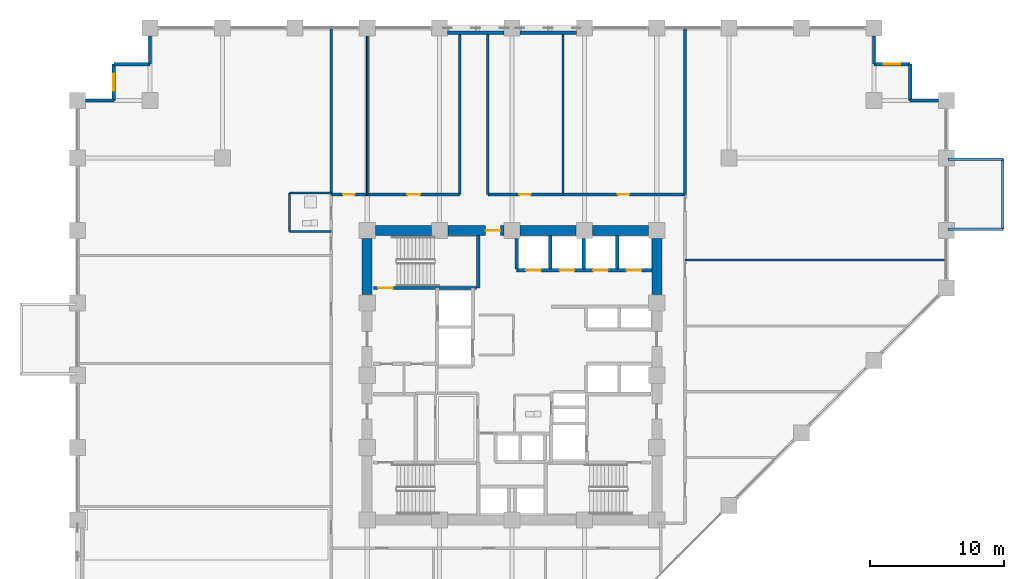
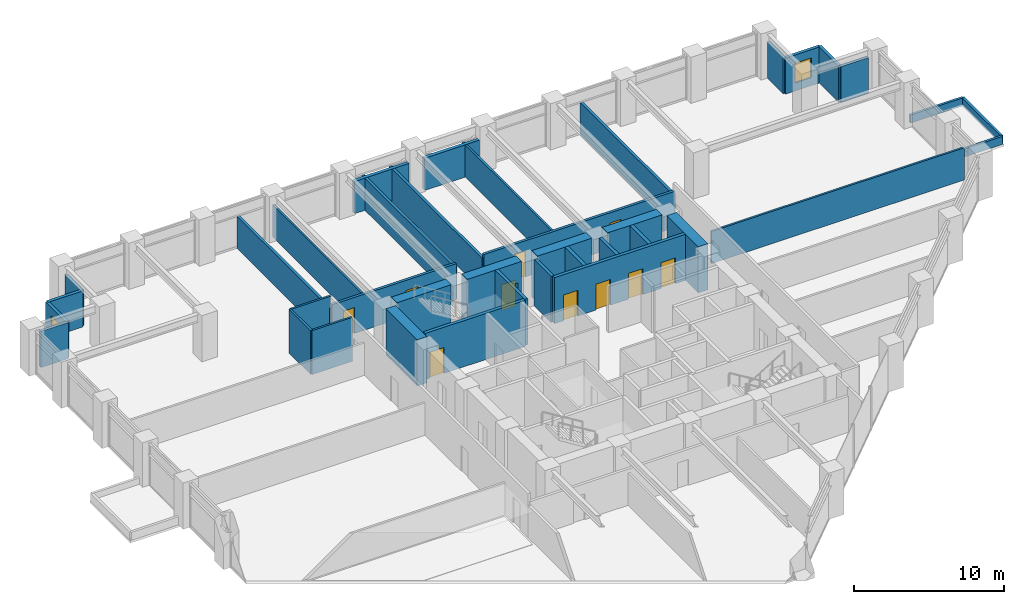
# One storey, part 22 of 26: 38 walls, 10 doors, 2 windows, 12 openings.
"""IFC4 building model written with IfcOpenShell, lengths in metres."""

from ifc_helpers import new_model, si_unit, direction, frame, frame_2d, origin, place, context, subcontext, project, spatial, rectangle, extrude, material, layer, layer_set, type_object, element, fill, save


model = new_model("IFC4")

# Units and contexts
model_context = context("Model", 3, precision=1e-05, world=origin(), true_north=direction((0.0, 1.0)))
body_context = subcontext(model_context, "Body", "Model", "MODEL_VIEW")
ifc_project = project(units=[si_unit("LENGTHUNIT", "METRE"), si_unit("AREAUNIT", "SQUARE_METRE"), si_unit("VOLUMEUNIT", "CUBIC_METRE"), si_unit("PLANEANGLEUNIT", "RADIAN"), si_unit("MASSUNIT", "GRAM", prefix="KILO")], contexts=[model_context])

# Site, building, storey
site_placement = place(None, origin())
site = spatial("IfcSite", under=ifc_project, at=site_placement, CompositionType="ELEMENT")
building_placement = place(site_placement, origin())
building = spatial("IfcBuilding", under=site, at=building_placement, Name="Surkhivell Harbour Commons", CompositionType="ELEMENT")
storey_placement = place(building_placement, frame((0.0, 0.0, 71.25)))
storey = spatial("IfcBuildingStorey", under=building, at=storey_placement, Name="L18", CompositionType="ELEMENT", Elevation=71.25)

# Wall
ifc_material_1 = material(Name="Concrete C60/75", Category="concrete")
ifc_layer_1 = layer(ifc_material_1, 0.75)
ifc_layer_set_1 = layer_set([ifc_layer_1], Name="Concrete C60/75")
wall_type_1 = type_object("IfcWallType", Name="WAL-CORE-750", PredefinedType="SHEAR", material=ifc_layer_set_1)
wall_1_placement = place(storey_placement, frame((-10.18994140625, 10.800048828125, 0.0), z_axis=(0.0, 0.0, 1.0), x_axis=(1.0, 0.0, 0.0)))
element("IfcWall", 1, at=wall_1_placement, inside=storey, type_object=wall_type_1, Name="L18 Core Shear Wall North 1", PredefinedType="SHEAR", context=body_context, shape_type="SweptSolid", body=[
    extrude(rectangle(XDim=4.179931640625, YDim=0.75, at=frame_2d((2.08984375, 0.0))), origin(), (0.0, 0.0, 1.0), 3.75),
])

# Wall, opening, door
wall_2_placement = place(storey_placement, frame((-4.7900390625, 10.800048828125, 0.0), z_axis=(0.0, 0.0, 1.0), x_axis=(1.0, 0.0, 0.0)))
wall_2 = element("IfcWall", 2, at=wall_2_placement, inside=storey, type_object=wall_type_1, Name="L18 Core Shear Wall North 2", PredefinedType="SHEAR", context=body_context, shape_type="SweptSolid", body=[
    extrude(rectangle(XDim=4.179931640625, YDim=0.75, at=frame_2d((2.08984375, 0.0))), origin(), (0.0, 0.0, 1.0), 3.75),
])
opening_1_placement = place(wall_2_placement, frame((2.830078125, 0.0, 0.0)))
opening_1 = element("IfcOpeningElement", 3, at=opening_1_placement, cuts=wall_2, Name="Opening ID-2", PredefinedType="OPENING", context=body_context, shape_type="SweptSolid", body=[
    extrude(rectangle(XDim=1.10009765625, YDim=2.10009765625, at=frame_2d((0.550048828125, 1.050048828125))), frame((0.0, 0.385009765625, 0.0), z_axis=(0.0, -1.0, 0.0), x_axis=(1.0, 0.0, 0.0)), (0.0, 0.0, 1.0), 0.77001953125),
])
ifc_material_2 = material(Name="Hardwood-veneered fire-rated door leaf", Category="wood")
door_type_1 = type_object("IfcDoorType", Name="DOR-FD60-1100", OperationType="NOTDEFINED", PredefinedType="DOOR", material=ifc_material_2)
door_1_placement = place(opening_1_placement, origin())
door_1 = element("IfcDoor", 4, at=door_1_placement, inside=storey, type_object=door_type_1, Name="L18 Central Core Lift Hall North Corridor Door", OperationType="SINGLE_SWING_LEFT", OverallHeight=2.10009765625, OverallWidth=1.10009765625, PredefinedType="DOOR", context=body_context, shape_type="SweptSolid", body=[
    extrude(rectangle(XDim=1.10009765625, YDim=2.10009765625, at=frame_2d((0.550048828125, 1.050048828125))), frame((0.0, 0.02490234375, 0.0), z_axis=(0.0, -1.0, 0.0), x_axis=(1.0, 0.0, 0.0)), (0.0, 0.0, 1.0), 0.050048828125),
])
fill(opening_1, door_1)

# Walls
for number, where, z_axis, x_axis, name in (
    (5, (0.610107421875, 10.800048828125, 0.0), (0.0, 0.0, 1.0), (1.0, 0.0, 0.0), "L18 Core Shear Wall North 3"),
    (6, (6.010009765625, 10.800048828125, 0.0), (0.0, 0.0, 1.0), (1.0, 0.0, 0.0), "L18 Core Shear Wall North 4"),
    (7, (-10.800048828125, 6.010009765625, 0.0), (0.0, 0.0, 1.0), (0.0, 1.0, 0.0), "L18 Core Shear Wall West 4"),
    (8, (10.800048828125, 6.010009765625, 0.0), (0.0, 0.0, 1.0), (0.0, 1.0, 0.0), "L18 Core Shear Wall East 4"),
):
    element("IfcWall", number, at=place(storey_placement, frame(where, z_axis=z_axis, x_axis=x_axis)), inside=storey, type_object=wall_type_1, Name=name, PredefinedType="SHEAR", context=body_context, shape_type="SweptSolid", body=[
        extrude(rectangle(XDim=4.179931640625, YDim=0.75, at=frame_2d((2.08984375, 0.0))), origin(), (0.0, 0.0, 1.0), 3.75),
    ])
ifc_material_3 = material(Name="Pale-metal insulated precast concrete C45/55", Category="concrete")
ifc_layer_2 = layer(ifc_material_3, 0.260009765625)
ifc_layer_set_2 = layer_set([ifc_layer_2], Name="Pale-metal insulated precast concrete C45/55")
wall_type_2 = type_object("IfcWallType", Name="WAL-EXT-MTL260", PredefinedType="STANDARD", material=ifc_layer_set_2)
for number, where, z_axis, x_axis, name in (
    (9, (-0.597900390625, 25.5400390625, 0.0), (0.0, 0.0, 1.0), (-1.0, 0.0, 0.0), "L18 Braced-Bay Insulated Spandrel Backing N"),
    (10, (4.802001953125, 25.5400390625, 0.0), (0.0, 0.0, 1.0), (-1.0, 0.0, 0.0), "L18 Braced-Bay Insulated Spandrel Backing N2"),
):
    element("IfcWall", number, at=place(storey_placement, frame(where, z_axis=z_axis, x_axis=x_axis)), inside=storey, type_object=wall_type_2, Name=name, PredefinedType="STANDARD", context=body_context, shape_type="SweptSolid", body=[
        extrude(rectangle(XDim=4.2041015625, YDim=0.260009765625, at=frame_2d((2.10205078125, 0.0))), origin(), (0.0, 0.0, 1.0), 2.623046875),
    ])
ifc_material_4 = material(Name="Bronze-ochre cassette precast concrete C45/55", Category="concrete")
ifc_layer_3 = layer(ifc_material_4, 0.239990234375)
ifc_layer_set_3 = layer_set([ifc_layer_3], Name="Bronze-ochre cassette precast concrete C45/55")
wall_type_3 = type_object("IfcWallType", Name="WAL-EXT-OCH240", PredefinedType="STANDARD", material=ifc_layer_set_3)
wall_3_placement = place(storey_placement, frame((31.802001953125, 20.5, 0.0), z_axis=(0.0, 0.0, 1.0), x_axis=(-1.0, 0.0, 0.0)))
element("IfcWall", 11, at=wall_3_placement, inside=storey, type_object=wall_type_3, Name="L18 Serrated Corner Facade Wall 03", PredefinedType="STANDARD", context=body_context, shape_type="SweptSolid", body=[
    extrude(rectangle(XDim=2.10205078125, YDim=0.239990234375, at=frame_2d((1.051025390625, 0.0))), origin(), (0.0, 0.0, 1.0), 2.929931640625),
])
wall_4_placement = place(storey_placement, frame((29.699951171875, 20.5, 0.0), z_axis=(0.0, 0.0, 1.0), x_axis=(0.0, 1.0, 0.0)))
element("IfcWall", 12, at=wall_4_placement, inside=storey, type_object=wall_type_3, Name="L18 Serrated Corner Facade Wall 04", PredefinedType="STANDARD", context=body_context, shape_type="SweptSolid", body=[
    extrude(rectangle(XDim=2.699951171875, YDim=0.239990234375, at=frame_2d((1.35009765625, 0.0))), origin(), (0.0, 0.0, 1.0), 2.929931640625),
])

# Wall, opening, window
wall_5_placement = place(storey_placement, frame((29.699951171875, 23.199951171875, 0.0), z_axis=(0.0, 0.0, 1.0), x_axis=(-1.0, 0.0, 0.0)))
wall_5 = element("IfcWall", 13, at=wall_5_placement, inside=storey, type_object=wall_type_3, Name="L18 Serrated Corner Facade Wall 05", PredefinedType="STANDARD", context=body_context, shape_type="SweptSolid", body=[
    extrude(rectangle(XDim=2.699951171875, YDim=0.239990234375, at=frame_2d((1.35009765625, 0.0))), origin(), (0.0, 0.0, 1.0), 2.929931640625),
])
opening_2_placement = place(wall_5_placement, frame((0.72509765625, 0.0, 0.64990234375)))
opening_2 = element("IfcOpeningElement", 14, at=opening_2_placement, cuts=wall_5, Name="Opening WN-09", PredefinedType="OPENING", context=body_context, shape_type="SweptSolid", body=[
    extrude(rectangle(XDim=1.25, YDim=1.60009765625, at=frame_2d((0.625, 0.800048828125))), frame((0.0, 0.1298828125, 0.0), z_axis=(0.0, -1.0, 0.0), x_axis=(1.0, 0.0, 0.0)), (0.0, 0.0, 1.0), 0.260009765625),
])
ifc_material_5 = material(Name="Thermal-break aluminium frame and double low-E glazing", Category="aluminium")
window_type = type_object("IfcWindowType", Name="WIN-SER-1250x1600", PartitioningType="SINGLE_PANEL", PredefinedType="WINDOW", material=ifc_material_5)
window_1_placement = place(opening_2_placement, origin())
window_1 = element("IfcWindow", 15, at=window_1_placement, inside=storey, type_object=window_type, Name="L18 Serrated Alcove Window 05", OverallHeight=1.60009765625, OverallWidth=1.25, PartitioningType="SINGLE_PANEL", PredefinedType="WINDOW", context=body_context, shape_type="SweptSolid", body=[
    extrude(rectangle(XDim=1.25, YDim=1.60009765625, at=frame_2d((0.625, 0.800048828125))), frame((0.0, 0.030029296875, 0.0), z_axis=(0.0, -1.0, 0.0), x_axis=(1.0, 0.0, 0.0)), (0.0, 0.0, 1.0), 0.06005859375),
])
fill(opening_2, window_1)

# Walls
for number, where, z_axis, x_axis, name in (
    (16, (27.0, 23.199951171875, 0.0), (0.0, 0.0, 1.0), (0.0, 1.0, 0.0), "L18 Serrated Corner Facade Wall 06"),
    (17, (-27.0, 25.302001953125, 0.0), (0.0, 0.0, 1.0), (0.0, -1.0, 0.0), "L18 Serrated Corner Facade Wall 08"),
):
    element("IfcWall", number, at=place(storey_placement, frame(where, z_axis=z_axis, x_axis=x_axis)), inside=storey, type_object=wall_type_3, Name=name, PredefinedType="STANDARD", context=body_context, shape_type="SweptSolid", body=[
        extrude(rectangle(XDim=2.10205078125, YDim=0.239990234375, at=frame_2d((1.051025390625, 0.0))), origin(), (0.0, 0.0, 1.0), 2.929931640625),
    ])
wall_6_placement = place(storey_placement, frame((-27.0, 23.199951171875, 0.0), z_axis=(0.0, 0.0, 1.0), x_axis=(-1.0, 0.0, 0.0)))
element("IfcWall", 18, at=wall_6_placement, inside=storey, type_object=wall_type_3, Name="L18 Serrated Corner Facade Wall 09", PredefinedType="STANDARD", context=body_context, shape_type="SweptSolid", body=[
    extrude(rectangle(XDim=2.699951171875, YDim=0.239990234375, at=frame_2d((1.35009765625, 0.0))), origin(), (0.0, 0.0, 1.0), 2.929931640625),
])

# Wall, opening, window
wall_7_placement = place(storey_placement, frame((-29.699951171875, 23.199951171875, 0.0), z_axis=(0.0, 0.0, 1.0), x_axis=(0.0, -1.0, 0.0)))
wall_7 = element("IfcWall", 19, at=wall_7_placement, inside=storey, type_object=wall_type_3, Name="L18 Serrated Corner Facade Wall 10", PredefinedType="STANDARD", context=body_context, shape_type="SweptSolid", body=[
    extrude(rectangle(XDim=2.699951171875, YDim=0.239990234375, at=frame_2d((1.35009765625, 0.0))), origin(), (0.0, 0.0, 1.0), 2.929931640625),
])
opening_3_placement = place(wall_7_placement, frame((0.72509765625, 0.0, 0.64990234375)))
opening_3 = element("IfcOpeningElement", 20, at=opening_3_placement, cuts=wall_7, Name="Opening WN-09", PredefinedType="OPENING", context=body_context, shape_type="SweptSolid", body=[
    extrude(rectangle(XDim=1.25, YDim=1.60009765625, at=frame_2d((0.625, 0.800048828125))), frame((0.0, 0.1298828125, 0.0), z_axis=(0.0, -1.0, 0.0), x_axis=(1.0, 0.0, 0.0)), (0.0, 0.0, 1.0), 0.260009765625),
])
window_2_placement = place(opening_3_placement, origin())
window_2 = element("IfcWindow", 21, at=window_2_placement, inside=storey, type_object=window_type, Name="L18 Serrated Alcove Window 10", OverallHeight=1.60009765625, OverallWidth=1.25, PartitioningType="SINGLE_PANEL", PredefinedType="WINDOW", context=body_context, shape_type="SweptSolid", body=[
    extrude(rectangle(XDim=1.25, YDim=1.60009765625, at=frame_2d((0.625, 0.800048828125))), frame((0.0, 0.030029296875, 0.0), z_axis=(0.0, -1.0, 0.0), x_axis=(1.0, 0.0, 0.0)), (0.0, 0.0, 1.0), 0.06005859375),
])
fill(opening_3, window_2)

# Walls
wall_8_placement = place(storey_placement, frame((-29.699951171875, 20.5, 0.0), z_axis=(0.0, 0.0, 1.0), x_axis=(-1.0, 0.0, 0.0)))
element("IfcWall", 22, at=wall_8_placement, inside=storey, type_object=wall_type_3, Name="L18 Serrated Corner Facade Wall 11", PredefinedType="STANDARD", context=body_context, shape_type="SweptSolid", body=[
    extrude(rectangle(XDim=2.10205078125, YDim=0.239990234375, at=frame_2d((1.051025390625, 0.0))), origin(), (0.0, 0.0, 1.0), 2.929931640625),
])
ifc_material_6 = material(Name="Moisture-resistant acoustic stud partition", Category="other")
ifc_layer_4 = layer(ifc_material_6, 0.125)
ifc_layer_set_4 = layer_set([ifc_layer_4], Name="Moisture-resistant acoustic stud partition")
wall_type_4 = type_object("IfcWallType", Name="WAL-INT-125", PredefinedType="PARTITIONING", material=ifc_layer_set_4)
wall_9_placement = place(storey_placement, frame((-10.800048828125, 13.47998046875, 0.0), z_axis=(0.0, 0.0, 1.0), x_axis=(0.0, 1.0, 0.0)))
element("IfcWall", 23, at=wall_9_placement, inside=storey, type_object=wall_type_4, Name="L18 North-West Partition P1", PredefinedType="PARTITIONING", context=body_context, shape_type="SweptSolid", body=[
    extrude(rectangle(XDim=12.360107421875, YDim=0.125, at=frame_2d((6.18017578125, 0.0))), origin(), (0.0, 0.0, 1.0), 2.623046875),
])
ifc_material_7 = material(Name="Twin-stud acoustic fireboard partition", Category="other")
ifc_layer_5 = layer(ifc_material_7, 0.14990234375)
ifc_layer_set_5 = layer_set([ifc_layer_5], Name="Twin-stud acoustic fireboard partition")
wall_type_5 = type_object("IfcWallType", Name="WAL-INT-150", PredefinedType="PARTITIONING", material=ifc_layer_set_5)
wall_10_placement = place(storey_placement, frame((12.89990234375, 8.580078125, 0.0), z_axis=(0.0, 0.0, 1.0), x_axis=(1.0, 0.0, 0.0)))
element("IfcWall", 24, at=wall_10_placement, inside=storey, type_object=wall_type_5, Name="L18 East Partition P4", PredefinedType="PARTITIONING", context=body_context, shape_type="SweptSolid", body=[
    extrude(rectangle(XDim=19.440185546875, YDim=0.14990234375, at=frame_2d((9.72021484375, 0.0))), origin(), (0.0, 0.0, 1.0), 2.623046875),
])
wall_11_placement = place(storey_placement, frame((3.7900390625, 13.47998046875, 0.0), z_axis=(0.0, 0.0, 1.0), x_axis=(0.0, 1.0, 0.0)))
element("IfcWall", 25, at=wall_11_placement, inside=storey, type_object=wall_type_5, Name="L18 North-East Partition P1", PredefinedType="PARTITIONING", context=body_context, shape_type="SweptSolid", body=[
    extrude(rectangle(XDim=12.360107421875, YDim=0.14990234375, at=frame_2d((6.18017578125, 0.0))), origin(), (0.0, 0.0, 1.0), 2.623046875),
])
wall_12_placement = place(storey_placement, frame((-16.580078125, 10.72998046875, 0.0), z_axis=(0.0, 0.0, 1.0), x_axis=(0.0, 1.0, 0.0)))
element("IfcWall", 26, at=wall_12_placement, inside=storey, type_object=wall_type_5, Name="L18 West Partition BTHB", PredefinedType="PARTITIONING", context=body_context, shape_type="SweptSolid", body=[
    extrude(rectangle(XDim=2.85009765625, YDim=0.14990234375, at=frame_2d((1.425048828125, 0.0))), origin(), (0.0, 0.0, 1.0), 3.570068359375),
])
for number, where, z_axis, x_axis, name in (
    (27, (-16.580078125, 13.580078125, 0.0), (0.0, 0.0, 1.0), (1.0, 0.0, 0.0), "L18 West Partition BTHN"),
    (28, (-16.580078125, 10.72998046875, 0.0), (0.0, 0.0, 1.0), (1.0, 0.0, 0.0), "L18 West Partition BTHS"),
):
    element("IfcWall", number, at=place(storey_placement, frame(where, z_axis=z_axis, x_axis=x_axis)), inside=storey, type_object=wall_type_5, Name=name, PredefinedType="PARTITIONING", context=body_context, shape_type="SweptSolid", body=[
        extrude(rectangle(XDim=3.10009765625, YDim=0.14990234375, at=frame_2d((1.550048828125, 0.0))), origin(), (0.0, 0.0, 1.0), 3.570068359375),
    ])
ifc_material_8 = material(Name="Autoclaved aerated concrete blockwork and fire plaster", Category="masonry")
ifc_layer_6 = layer(ifc_material_8, 0.199951171875)
ifc_layer_set_6 = layer_set([ifc_layer_6], Name="Autoclaved aerated concrete blockwork and fire plaster")
wall_type_6 = type_object("IfcWallType", Name="WAL-INT-200", PredefinedType="PARTITIONING", material=ifc_layer_set_6)
for number, where, z_axis, x_axis, name in (
    (29, (12.89990234375, 13.47998046875, 0.0), (0.0, 0.0, 1.0), (0.0, 1.0, 0.0), "L18 North-East Wing Corner Divider"),
    (30, (-13.47998046875, 13.47998046875, 0.0), (0.0, 0.0, 1.0), (0.0, 1.0, 0.0), "L18 North-West Wing Corner Divider"),
):
    element("IfcWall", number, at=place(storey_placement, frame(where, z_axis=z_axis, x_axis=x_axis)), inside=storey, type_object=wall_type_6, Name=name, PredefinedType="PARTITIONING", context=body_context, shape_type="SweptSolid", body=[
        extrude(rectangle(XDim=12.360107421875, YDim=0.199951171875, at=frame_2d((6.18017578125, 0.0))), origin(), (0.0, 0.0, 1.0), 2.623046875),
    ])

# Wall, openings, doors
wall_13_placement = place(storey_placement, frame((-13.47998046875, 13.47998046875, 0.0), z_axis=(0.0, 0.0, 1.0), x_axis=(1.0, 0.0, 0.0)))
wall_13 = element("IfcWall", 31, at=wall_13_placement, inside=storey, type_object=wall_type_6, Name="L18 Corridor North-West Wall", PredefinedType="PARTITIONING", context=body_context, shape_type="SweptSolid", body=[
    extrude(rectangle(XDim=9.580078125, YDim=0.199951171875, at=frame_2d((4.7900390625, 0.0))), origin(), (0.0, 0.0, 1.0), 2.929931640625),
])
opening_4_placement = place(wall_13_placement, frame((0.889892578125, 0.0, 0.0)))
opening_4 = element("IfcOpeningElement", 32, at=opening_4_placement, cuts=wall_13, Name="Opening ID-6", PredefinedType="OPENING", context=body_context, shape_type="SweptSolid", body=[
    extrude(rectangle(XDim=0.85009765625, YDim=2.10009765625, at=frame_2d((0.425048828125, 1.050048828125))), frame((0.0, 0.10986328125, 0.0), z_axis=(0.0, -1.0, 0.0), x_axis=(1.0, 0.0, 0.0)), (0.0, 0.0, 1.0), 0.219970703125),
])
opening_5_placement = place(wall_13_placement, frame((5.679931640625, 0.0, 0.0)))
opening_5 = element("IfcOpeningElement", 33, at=opening_5_placement, cuts=wall_13, Name="Opening ID-4", PredefinedType="OPENING", context=body_context, shape_type="SweptSolid", body=[
    extrude(rectangle(XDim=0.949951171875, YDim=2.10009765625, at=frame_2d((0.47509765625, 1.050048828125))), frame((0.0, 0.10986328125, 0.0), z_axis=(0.0, -1.0, 0.0), x_axis=(1.0, 0.0, 0.0)), (0.0, 0.0, 1.0), 0.219970703125),
])
door_type_2 = type_object("IfcDoorType", Name="DOR-FD30-850", OperationType="NOTDEFINED", PredefinedType="DOOR", material=ifc_material_2)
door_2_placement = place(opening_4_placement, origin())
door_2 = element("IfcDoor", 34, at=door_2_placement, inside=storey, type_object=door_type_2, Name="L18 Shared Communal Kitchen A North-West Door", OperationType="SINGLE_SWING_RIGHT", OverallHeight=2.10009765625, OverallWidth=0.85009765625, PredefinedType="DOOR", context=body_context, shape_type="SweptSolid", body=[
    extrude(rectangle(XDim=0.85009765625, YDim=2.10009765625, at=frame_2d((0.425048828125, 1.050048828125))), frame((0.0, 0.02490234375, 0.0), z_axis=(0.0, -1.0, 0.0), x_axis=(1.0, 0.0, 0.0)), (0.0, 0.0, 1.0), 0.050048828125),
])
fill(opening_4, door_2)
door_type_3 = type_object("IfcDoorType", Name="DOR-FD60-950", OperationType="NOTDEFINED", PredefinedType="DOOR", material=ifc_material_2)
door_3_placement = place(opening_5_placement, origin())
door_3 = element("IfcDoor", 35, at=door_3_placement, inside=storey, type_object=door_type_3, Name="L18 Shared Communal Kitchen B North-West Door", OperationType="SINGLE_SWING_LEFT", OverallHeight=2.10009765625, OverallWidth=0.949951171875, PredefinedType="DOOR", context=body_context, shape_type="SweptSolid", body=[
    extrude(rectangle(XDim=0.949951171875, YDim=2.10009765625, at=frame_2d((0.47509765625, 1.050048828125))), frame((0.0, 0.02490234375, 0.0), z_axis=(0.0, -1.0, 0.0), x_axis=(1.0, 0.0, 0.0)), (0.0, 0.0, 1.0), 0.050048828125),
])
fill(opening_5, door_3)

wall_14_placement = place(storey_placement, frame((-1.800048828125, 13.47998046875, 0.0), z_axis=(0.0, 0.0, 1.0), x_axis=(1.0, 0.0, 0.0)))
wall_14 = element("IfcWall", 36, at=wall_14_placement, inside=storey, type_object=wall_type_6, Name="L18 Corridor North-East Wall", PredefinedType="PARTITIONING", context=body_context, shape_type="SweptSolid", body=[
    extrude(rectangle(XDim=14.699951171875, YDim=0.199951171875, at=frame_2d((7.35009765625, 0.0))), origin(), (0.0, 0.0, 1.0), 2.929931640625),
])
opening_6_placement = place(wall_14_placement, frame((2.344970703125, 0.0, 0.0)))
opening_6 = element("IfcOpeningElement", 37, at=opening_6_placement, cuts=wall_14, Name="Opening ID-6", PredefinedType="OPENING", context=body_context, shape_type="SweptSolid", body=[
    extrude(rectangle(XDim=0.85009765625, YDim=2.10009765625, at=frame_2d((0.425048828125, 1.050048828125))), frame((0.0, 0.10986328125, 0.0), z_axis=(0.0, -1.0, 0.0), x_axis=(1.0, 0.0, 0.0)), (0.0, 0.0, 1.0), 0.219970703125),
])
opening_7_placement = place(wall_14_placement, frame((9.695068359375, 0.0, 0.0)))
opening_7 = element("IfcOpeningElement", 38, at=opening_7_placement, cuts=wall_14, Name="Opening ID-6", PredefinedType="OPENING", context=body_context, shape_type="SweptSolid", body=[
    extrude(rectangle(XDim=0.85009765625, YDim=2.10009765625, at=frame_2d((0.425048828125, 1.050048828125))), frame((0.0, 0.10986328125, 0.0), z_axis=(0.0, -1.0, 0.0), x_axis=(1.0, 0.0, 0.0)), (0.0, 0.0, 1.0), 0.219970703125),
])
door_4_placement = place(opening_6_placement, origin())
door_4 = element("IfcDoor", 39, at=door_4_placement, inside=storey, type_object=door_type_2, Name="L18 Harbour Reading Library North-East Door", OperationType="SINGLE_SWING_RIGHT", OverallHeight=2.10009765625, OverallWidth=0.85009765625, PredefinedType="DOOR", context=body_context, shape_type="SweptSolid", body=[
    extrude(rectangle(XDim=0.85009765625, YDim=2.10009765625, at=frame_2d((0.425048828125, 1.050048828125))), frame((0.0, 0.02490234375, 0.0), z_axis=(0.0, -1.0, 0.0), x_axis=(1.0, 0.0, 0.0)), (0.0, 0.0, 1.0), 0.050048828125),
])
fill(opening_6, door_4)
door_5_placement = place(opening_7_placement, origin())
door_5 = element("IfcDoor", 40, at=door_5_placement, inside=storey, type_object=door_type_2, Name="L18 Communal Dining Hall North-East Door", OperationType="SINGLE_SWING_LEFT", OverallHeight=2.10009765625, OverallWidth=0.85009765625, PredefinedType="DOOR", context=body_context, shape_type="SweptSolid", body=[
    extrude(rectangle(XDim=0.85009765625, YDim=2.10009765625, at=frame_2d((0.425048828125, 1.050048828125))), frame((0.0, 0.02490234375, 0.0), z_axis=(0.0, -1.0, 0.0), x_axis=(1.0, 0.0, 0.0)), (0.0, 0.0, 1.0), 0.050048828125),
])
fill(opening_7, door_5)

# Walls
for number, where, z_axis, x_axis, name in (
    (41, (-1.800048828125, 13.47998046875, 0.0), (0.0, 0.0, 1.0), (0.0, 1.0, 0.0), "L18 North Alcove East Wall"),
    (42, (-3.89990234375, 13.47998046875, 0.0), (0.0, 0.0, 1.0), (0.0, 1.0, 0.0), "L18 North Alcove West Wall"),
):
    element("IfcWall", number, at=place(storey_placement, frame(where, z_axis=z_axis, x_axis=x_axis)), inside=storey, type_object=wall_type_6, Name=name, PredefinedType="PARTITIONING", context=body_context, shape_type="SweptSolid", body=[
        extrude(rectangle(XDim=12.360107421875, YDim=0.199951171875, at=frame_2d((6.18017578125, 0.0))), origin(), (0.0, 0.0, 1.0), 2.623046875),
    ])
ifc_material_9 = material(Name="Anodised aluminium and precast concrete C40/50", Category="concrete")
ifc_layer_7 = layer(ifc_material_9, 0.18505859375)
ifc_layer_set_7 = layer_set([ifc_layer_7], Name="Anodised aluminium and precast concrete C40/50")
wall_type_7 = type_object("IfcWallType", Name="WAL-PAR-185", PredefinedType="PARAPET", material=ifc_layer_set_7)
wall_15_placement = place(storey_placement, frame((32.52001953125, 10.89990234375, 0.0), z_axis=(0.0, 0.0, 1.0), x_axis=(1.0, 0.0, 0.0)))
element("IfcWall", 43, at=wall_15_placement, inside=storey, type_object=wall_type_7, Name="L18 Box Roof Coping Parapet 1-1", PredefinedType="PARAPET", context=body_context, shape_type="SweptSolid", body=[
    extrude(rectangle(XDim=4.080078125, YDim=0.18505859375, at=frame_2d((2.0400390625, 0.0))), origin(), (0.0, 0.0, 1.0), 0.64990234375),
])
wall_16_placement = place(storey_placement, frame((36.60009765625, 10.89990234375, 0.0), z_axis=(0.0, 0.0, 1.0), x_axis=(0.0, 1.0, 0.0)))
element("IfcWall", 44, at=wall_16_placement, inside=storey, type_object=wall_type_7, Name="L18 Box Roof Coping Parapet 1-2", PredefinedType="PARAPET", context=body_context, shape_type="SweptSolid", body=[
    extrude(rectangle(XDim=5.2001953125, YDim=0.18505859375, at=frame_2d((2.60009765625, 0.0))), origin(), (0.0, 0.0, 1.0), 0.64990234375),
])
wall_17_placement = place(storey_placement, frame((36.60009765625, 16.10009765625, 0.0), z_axis=(0.0, 0.0, 1.0), x_axis=(-1.0, 0.0, 0.0)))
element("IfcWall", 45, at=wall_17_placement, inside=storey, type_object=wall_type_7, Name="L18 Box Roof Coping Parapet 1-3", PredefinedType="PARAPET", context=body_context, shape_type="SweptSolid", body=[
    extrude(rectangle(XDim=4.080078125, YDim=0.18505859375, at=frame_2d((2.0400390625, 0.0))), origin(), (0.0, 0.0, 1.0), 0.64990234375),
])
ifc_material_10 = material(Name="Concrete C50/60", Category="concrete")
ifc_layer_8 = layer(ifc_material_10, 0.25)
ifc_layer_set_8 = layer_set([ifc_layer_8], Name="Concrete C50/60")
wall_type_8 = type_object("IfcWallType", Name="WAL-SHAFT-250", PredefinedType="SHEAR", material=ifc_layer_set_8)
wall_18_placement = place(storey_placement, frame((2.85009765625, 7.93994140625, 0.0), z_axis=(0.0, 0.0, 1.0), x_axis=(0.0, 1.0, 0.0)))
element("IfcWall", 46, at=wall_18_placement, inside=storey, type_object=wall_type_8, Name="L18 Low-Rise Hoistway Wall", PredefinedType="SHEAR", context=body_context, shape_type="SweptSolid", body=[
    extrude(rectangle(XDim=2.485107421875, YDim=0.25, at=frame_2d((1.24267578125, 0.0))), origin(), (0.0, 0.0, 1.0), 3.75),
])
for number, where, z_axis, x_axis, name in (
    (47, (0.35009765625, 7.93994140625, 0.0), (0.0, 0.0, 1.0), (0.0, 1.0, 0.0), "L18 Low-Rise Hoistway Wall"),
    (48, (5.35009765625, 7.93994140625, 0.0), (0.0, 0.0, 1.0), (0.0, 1.0, 0.0), "L18 Low-Rise Hoistway Wall"),
):
    element("IfcWall", number, at=place(storey_placement, frame(where, z_axis=z_axis, x_axis=x_axis)), inside=storey, type_object=wall_type_8, Name=name, PredefinedType="SHEAR", context=body_context, shape_type="SweptSolid", body=[
        extrude(rectangle(XDim=2.260009765625, YDim=0.25, at=frame_2d((1.1298828125, 0.0))), origin(), (0.0, 0.0, 1.0), 3.75),
    ])
wall_19_placement = place(storey_placement, frame((7.85009765625, 7.93994140625, 0.0), z_axis=(0.0, 0.0, 1.0), x_axis=(0.0, 1.0, 0.0)))
element("IfcWall", 49, at=wall_19_placement, inside=storey, type_object=wall_type_8, Name="L18 Low-Rise Hoistway Wall", PredefinedType="SHEAR", context=body_context, shape_type="SweptSolid", body=[
    extrude(rectangle(XDim=2.485107421875, YDim=0.25, at=frame_2d((1.24267578125, 0.0))), origin(), (0.0, 0.0, 1.0), 3.75),
])

# Wall, openings, doors
wall_20_placement = place(storey_placement, frame((0.35009765625, 7.820068359375, 0.0), z_axis=(0.0, 0.0, 1.0), x_axis=(1.0, 0.0, 0.0)))
wall_20 = element("IfcWall", 50, at=wall_20_placement, inside=storey, type_object=wall_type_8, Name="L18 Low-Rise Lift Front Shaft Wall", PredefinedType="SHEAR", context=body_context, shape_type="SweptSolid", body=[
    extrude(rectangle(XDim=10.074951171875, YDim=0.25, at=frame_2d((5.03759765625, 0.0))), origin(), (0.0, 0.0, 1.0), 3.75),
])
opening_8_placement = place(wall_20_placement, frame((0.699951171875, 0.0, 0.0)))
opening_8 = element("IfcOpeningElement", 51, at=opening_8_placement, cuts=wall_20, Name="Opening LD-1", PredefinedType="OPENING", context=body_context, shape_type="SweptSolid", body=[
    extrude(rectangle(XDim=1.10009765625, YDim=2.10009765625, at=frame_2d((0.550048828125, 1.050048828125))), frame((0.0, 0.135009765625, 0.0), z_axis=(0.0, -1.0, 0.0), x_axis=(1.0, 0.0, 0.0)), (0.0, 0.0, 1.0), 0.27001953125),
])
opening_9_placement = place(wall_20_placement, frame((3.199951171875, 0.0, 0.0)))
opening_9 = element("IfcOpeningElement", 52, at=opening_9_placement, cuts=wall_20, Name="Opening LD-1", PredefinedType="OPENING", context=body_context, shape_type="SweptSolid", body=[
    extrude(rectangle(XDim=1.10009765625, YDim=2.10009765625, at=frame_2d((0.550048828125, 1.050048828125))), frame((0.0, 0.135009765625, 0.0), z_axis=(0.0, -1.0, 0.0), x_axis=(1.0, 0.0, 0.0)), (0.0, 0.0, 1.0), 0.27001953125),
])
opening_10_placement = place(wall_20_placement, frame((5.699951171875, 0.0, 0.0)))
opening_10 = element("IfcOpeningElement", 53, at=opening_10_placement, cuts=wall_20, Name="Opening LD-1", PredefinedType="OPENING", context=body_context, shape_type="SweptSolid", body=[
    extrude(rectangle(XDim=1.10009765625, YDim=2.10009765625, at=frame_2d((0.550048828125, 1.050048828125))), frame((0.0, 0.135009765625, 0.0), z_axis=(0.0, -1.0, 0.0), x_axis=(1.0, 0.0, 0.0)), (0.0, 0.0, 1.0), 0.27001953125),
])
opening_11_placement = place(wall_20_placement, frame((8.199951171875, 0.0, 0.0)))
opening_11 = element("IfcOpeningElement", 54, at=opening_11_placement, cuts=wall_20, Name="Opening LD-1", PredefinedType="OPENING", context=body_context, shape_type="SweptSolid", body=[
    extrude(rectangle(XDim=1.10009765625, YDim=2.10009765625, at=frame_2d((0.550048828125, 1.050048828125))), frame((0.0, 0.135009765625, 0.0), z_axis=(0.0, -1.0, 0.0), x_axis=(1.0, 0.0, 0.0)), (0.0, 0.0, 1.0), 0.27001953125),
])
ifc_material_11 = material(Name="Brushed stainless steel S355", Category="steel")
door_type_4 = type_object("IfcDoorType", Name="DOR-LD-1100", OperationType="SLIDING_TO_LEFT", PredefinedType="DOOR", material=ifc_material_11)
door_6_placement = place(opening_8_placement, origin())
door_6 = element("IfcDoor", 55, at=door_6_placement, inside=storey, type_object=door_type_4, Name="L18 Lift Landing Door LD-PL1", OperationType="SLIDING_TO_LEFT", OverallHeight=2.10009765625, OverallWidth=1.10009765625, PredefinedType="DOOR", context=body_context, shape_type="SweptSolid", body=[
    extrude(rectangle(XDim=1.10009765625, YDim=2.10009765625, at=frame_2d((0.550048828125, 1.050048828125))), frame((0.0, 0.02490234375, 0.0), z_axis=(0.0, -1.0, 0.0), x_axis=(1.0, 0.0, 0.0)), (0.0, 0.0, 1.0), 0.050048828125),
])
fill(opening_8, door_6)
door_7_placement = place(opening_9_placement, origin())
door_7 = element("IfcDoor", 56, at=door_7_placement, inside=storey, type_object=door_type_4, Name="L18 Lift Landing Door LD-PL2", OperationType="SLIDING_TO_LEFT", OverallHeight=2.10009765625, OverallWidth=1.10009765625, PredefinedType="DOOR", context=body_context, shape_type="SweptSolid", body=[
    extrude(rectangle(XDim=1.10009765625, YDim=2.10009765625, at=frame_2d((0.550048828125, 1.050048828125))), frame((0.0, 0.02490234375, 0.0), z_axis=(0.0, -1.0, 0.0), x_axis=(1.0, 0.0, 0.0)), (0.0, 0.0, 1.0), 0.050048828125),
])
fill(opening_9, door_7)
door_8_placement = place(opening_10_placement, origin())
door_8 = element("IfcDoor", 57, at=door_8_placement, inside=storey, type_object=door_type_4, Name="L18 Lift Landing Door LD-PL3", OperationType="SLIDING_TO_LEFT", OverallHeight=2.10009765625, OverallWidth=1.10009765625, PredefinedType="DOOR", context=body_context, shape_type="SweptSolid", body=[
    extrude(rectangle(XDim=1.10009765625, YDim=2.10009765625, at=frame_2d((0.550048828125, 1.050048828125))), frame((0.0, 0.02490234375, 0.0), z_axis=(0.0, -1.0, 0.0), x_axis=(1.0, 0.0, 0.0)), (0.0, 0.0, 1.0), 0.050048828125),
])
fill(opening_10, door_8)
door_9_placement = place(opening_11_placement, origin())
door_9 = element("IfcDoor", 58, at=door_9_placement, inside=storey, type_object=door_type_4, Name="L18 Lift Landing Door LD-PL4", OperationType="SLIDING_TO_LEFT", OverallHeight=2.10009765625, OverallWidth=1.10009765625, PredefinedType="DOOR", context=body_context, shape_type="SweptSolid", body=[
    extrude(rectangle(XDim=1.10009765625, YDim=2.10009765625, at=frame_2d((0.550048828125, 1.050048828125))), frame((0.0, 0.02490234375, 0.0), z_axis=(0.0, -1.0, 0.0), x_axis=(1.0, 0.0, 0.0)), (0.0, 0.0, 1.0), 0.050048828125),
])
fill(opening_11, door_9)

# Wall
wall_21_placement = place(storey_placement, frame((-2.510009765625, 6.510009765625, 0.0), z_axis=(0.0, 0.0, 1.0), x_axis=(0.0, 1.0, 0.0)))
element("IfcWall", 59, at=wall_21_placement, inside=storey, type_object=wall_type_8, Name="L18 Stair ST1 East Shear Wall", PredefinedType="SHEAR", context=body_context, shape_type="SweptSolid", body=[
    extrude(rectangle(XDim=3.9150390625, YDim=0.25, at=frame_2d((1.95751953125, 0.0))), origin(), (0.0, 0.0, 1.0), 3.75),
])

# Wall, opening, door
wall_22_placement = place(storey_placement, frame((-10.340087890625, 6.510009765625, 0.0), z_axis=(0.0, 0.0, 1.0), x_axis=(1.0, 0.0, 0.0)))
wall_22 = element("IfcWall", 60, at=wall_22_placement, inside=storey, type_object=wall_type_8, Name="L18 Stair ST1 South Shear Wall", PredefinedType="SHEAR", context=body_context, shape_type="SweptSolid", body=[
    extrude(rectangle(XDim=7.7001953125, YDim=0.25, at=frame_2d((3.85009765625, 0.0))), origin(), (0.0, 0.0, 1.0), 3.75),
])
opening_12_placement = place(wall_22_placement, frame((0.35009765625, 0.0, 0.0)))
opening_12 = element("IfcOpeningElement", 61, at=opening_12_placement, cuts=wall_22, Name="Opening ID-2", PredefinedType="OPENING", context=body_context, shape_type="SweptSolid", body=[
    extrude(rectangle(XDim=1.10009765625, YDim=2.10009765625, at=frame_2d((0.550048828125, 1.050048828125))), frame((0.0, 0.135009765625, 0.0), z_axis=(0.0, -1.0, 0.0), x_axis=(1.0, 0.0, 0.0)), (0.0, 0.0, 1.0), 0.27001953125),
])
door_10_placement = place(opening_12_placement, origin())
door_10 = element("IfcDoor", 62, at=door_10_placement, inside=storey, type_object=door_type_1, Name="L18 Stair ST1 Exit Door", OperationType="SINGLE_SWING_LEFT", OverallHeight=2.10009765625, OverallWidth=1.10009765625, PredefinedType="DOOR", context=body_context, shape_type="SweptSolid", body=[
    extrude(rectangle(XDim=1.10009765625, YDim=2.10009765625, at=frame_2d((0.550048828125, 1.050048828125))), frame((0.0, 0.02490234375, 0.0), z_axis=(0.0, -1.0, 0.0), x_axis=(1.0, 0.0, 0.0)), (0.0, 0.0, 1.0), 0.050048828125),
])
fill(opening_12, door_10)

save(model, "model.ifc")
